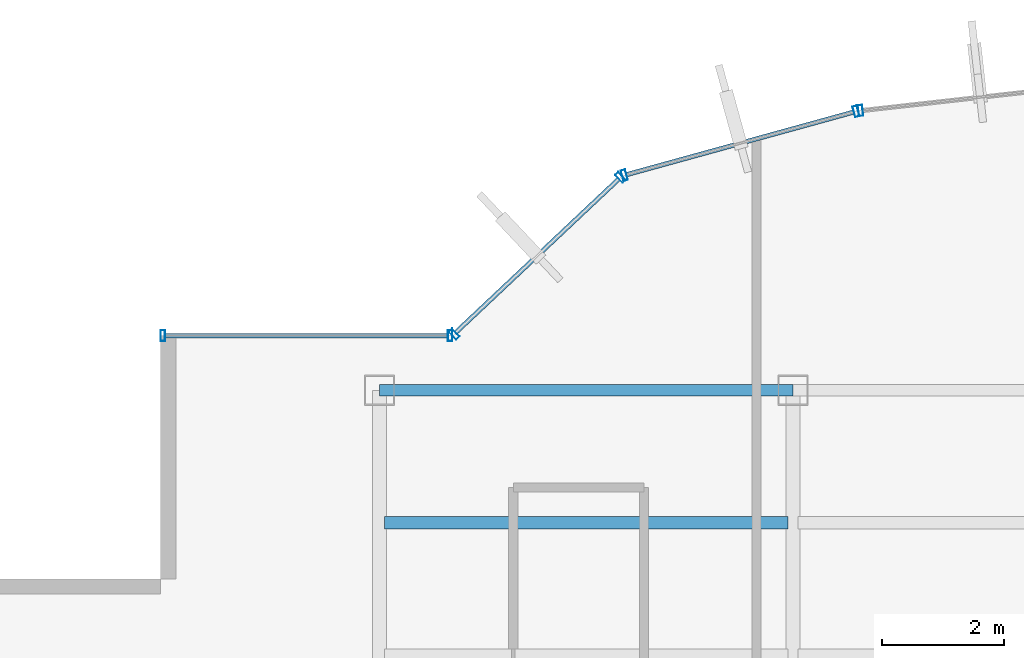
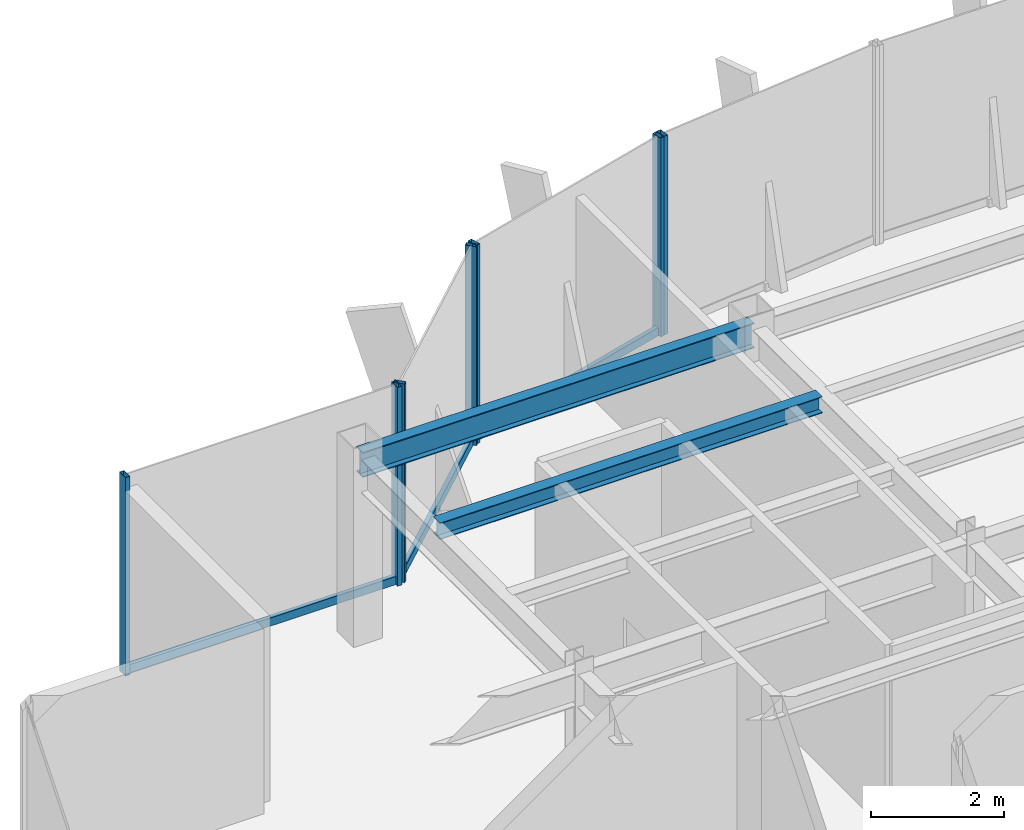
# One storey, part 12 of 22: 10 members, 2 beams, 4 elements without a shape of their own.
"""IFC4 building model written with IfcOpenShell, lengths in metres."""

from ifc_helpers import new_model, si_unit, derived_unit, direction, frame, origin, origin_2d, place, context, subcontext, project, spatial, hollow_rectangle, i_section, extrude, source, transform, mapped, material, material_profile, profile_set, type_object, element, aggregate, save


model = new_model("IFC4")

# Units and contexts
model_context = context("Model", 3, precision=1e-05, world=origin(), true_north=direction((0.0, 1.0)))
body_context = subcontext(model_context, "Body", "Model", "MODEL_VIEW")
ifc_project = project(units=[si_unit("LENGTHUNIT", "METRE"), si_unit("AREAUNIT", "SQUARE_METRE"), si_unit("VOLUMEUNIT", "CUBIC_METRE"), si_unit("PLANEANGLEUNIT", "RADIAN"), si_unit("MASSUNIT", "GRAM", prefix="KILO"), derived_unit("THERMALTRANSMITTANCEUNIT", [(si_unit("POWERUNIT", "WATT"), 1), (si_unit("LENGTHUNIT", "METRE"), -2), (si_unit("THERMODYNAMICTEMPERATUREUNIT", "KELVIN"), -1)])], contexts=[model_context])

# Site, building, storey
site_placement = place(None, origin())
site = spatial("IfcSite", under=ifc_project, at=site_placement, CompositionType="ELEMENT")
building_placement = place(site_placement, origin())
building = spatial("IfcBuilding", under=site, at=building_placement, Name="Skarnbrae Concourse Arena and Tower", CompositionType="ELEMENT")
storey_placement = place(building_placement, frame((0.0, 0.0, 244.199951171875)))
storey = spatial("IfcBuildingStorey", under=building, at=storey_placement, Name="L63", CompositionType="ELEMENT", Elevation=244.199951171875)

# Beams
ifc_material_1 = material(Name="Steel CSA G40.21 350W", Category="steel")
ifc_material_profile_1 = material_profile(ifc_material_1, i_section(OverallWidth=0.19091796875, OverallDepth=0.4599609375, WebThickness=0.010009765625, FlangeThickness=0.01611328125, at=origin_2d()), Name="W460X82")
ifc_profile_set_1 = profile_set([ifc_material_profile_1], Name="Steel CSA G40.21 350W")
beam_type_1 = type_object("IfcBeamType", Name="BM-SPAN-W460X82", PredefinedType="SPANDREL", material=ifc_profile_set_1)
shared_shape_1 = source(origin(), body_context, "Body", "SweptSolid", [
    extrude(i_section(OverallWidth=0.19091796875, OverallDepth=0.4599609375, WebThickness=0.010009765625, FlangeThickness=0.01611328125, at=origin_2d()), origin(), (0.0, 0.0, 1.0), 6.7998046875),
])
beam_1_placement = place(storey_placement, frame((7.60009765625, 34.39990234375, 3.170166015625), z_axis=(1.0, 0.0, 0.0), x_axis=(0.0, 1.0, 0.0)))
element("IfcBeam", 1, at=beam_1_placement, inside=storey, type_object=beam_type_1, Name="L63 Perimeter spandrel Y34.4-1", PredefinedType="SPANDREL", context=body_context, shape_type="MappedRepresentation", body=[
    mapped(shared_shape_1, transform((0.0, 0.0, 0.0))),
])
ifc_material_profile_2 = material_profile(ifc_material_1, i_section(OverallWidth=0.202880859375, OverallDepth=0.302978515625, WebThickness=0.007568359375, FlangeThickness=0.01318359375, at=origin_2d()), Name="W310X60")
ifc_profile_set_2 = profile_set([ifc_material_profile_2], Name="Steel CSA G40.21 350W")
beam_type_2 = type_object("IfcBeamType", Name="BM-JOIST-W310X60", PredefinedType="JOIST", material=ifc_profile_set_2)
shared_shape_2 = source(origin(), body_context, "Body", "SweptSolid", [
    extrude(i_section(OverallWidth=0.202880859375, OverallDepth=0.302978515625, WebThickness=0.007568359375, FlangeThickness=0.01318359375, at=origin_2d()), origin(), (0.0, 0.0, 1.0), 6.64013671875),
])
beam_2_placement = place(storey_placement, frame((7.679931640625, 32.221923828125, 3.24853515625), z_axis=(1.0, 0.0, 0.0), x_axis=(0.0, 1.0, 0.0)))
element("IfcBeam", 2, at=beam_2_placement, inside=storey, type_object=beam_type_2, Name="L63 Secondary floor joist 3.2.1", PredefinedType="JOIST", context=body_context, shape_type="MappedRepresentation", body=[
    mapped(shared_shape_2, transform((0.0, 0.0, 0.0))),
])

# Curtain wall, member
ifc_material_2 = material(Name="Bronze anodised aluminium 6063-T6", Category="aluminium")
curtain_wall_type = type_object("IfcCurtainWallType", Name="CW-SYS-05-HIGHZONE", PredefinedType="USERDEFINED", material=ifc_material_2)
curtain_wall_1_placement = place(storey_placement, origin())
curtain_wall_1 = element("IfcCurtainWall", 3, at=curtain_wall_1_placement, inside=storey, type_object=curtain_wall_type, Name="L63 Unitised curtain wall CW-L63-E15", ObjectType="UNITISED CURTAIN WALL", PredefinedType="USERDEFINED")
ifc_material_profile_3 = material_profile(ifc_material_2, hollow_rectangle(XDim=0.074951171875, YDim=0.14990234375, WallThickness=0.00390625, at=origin_2d()), Name="ALU-TRAN-75X150")
ifc_profile_set_3 = profile_set([ifc_material_profile_3], Name="Bronze anodised aluminium 6063-T6")
member_type_1 = type_object("IfcMemberType", Name="CWT-CW-05", PredefinedType="USERDEFINED", material=ifc_profile_set_3)
shared_shape_3 = source(origin(), body_context, "Body", "SweptSolid", [
    extrude(hollow_rectangle(XDim=0.074951171875, YDim=0.14990234375, WallThickness=0.00390625, at=origin_2d()), origin(), (0.0, 0.0, 1.0), 4.650146484375),
])
member_1_placement = place(storey_placement, frame((8.72509765625, 35.300048828125, 0.074951171875), z_axis=(-1.0, 0.0, 0.0), x_axis=(0.0, -1.0, 0.0)))
member_1 = element("IfcMember", 4, at=member_1_placement, type_object=member_type_1, Name="CW-L63-E15 Transom 1", ObjectType="TRANSOM", PredefinedType="USERDEFINED", context=body_context, shape_type="MappedRepresentation", body=[
    mapped(shared_shape_3, transform((0.0, 0.0, 0.0))),
])

curtain_wall_2_placement = place(storey_placement, origin())
curtain_wall_2 = element("IfcCurtainWall", 5, at=curtain_wall_2_placement, inside=storey, type_object=curtain_wall_type, Name="L63 Unitised curtain wall CW-L63-E14", ObjectType="UNITISED CURTAIN WALL", PredefinedType="USERDEFINED")
shared_shape_4 = source(origin(), body_context, "Body", "SweptSolid", [
    extrude(hollow_rectangle(XDim=0.074951171875, YDim=0.14990234375, WallThickness=0.00390625, at=origin_2d()), origin(), (0.0, 0.0, 1.0), 3.68212890625),
])
member_2_placement = place(storey_placement, frame((11.53564453125, 37.875244140625, 0.074951171875), z_axis=(-0.728133808476, -0.685435012933, 0.0), x_axis=(0.685435012933, -0.728133808476, 0.0)))
member_2 = element("IfcMember", 6, at=member_2_placement, type_object=member_type_1, Name="CW-L63-E14 Transom 1", ObjectType="TRANSOM", PredefinedType="USERDEFINED", context=body_context, shape_type="MappedRepresentation", body=[
    mapped(shared_shape_4, transform((0.0, 0.0, 0.0))),
])

curtain_wall_3_placement = place(storey_placement, origin())
curtain_wall_3 = element("IfcCurtainWall", 7, at=curtain_wall_3_placement, inside=storey, type_object=curtain_wall_type, Name="L63 Unitised curtain wall CW-L63-E13", ObjectType="UNITISED CURTAIN WALL", PredefinedType="USERDEFINED")
shared_shape_5 = source(origin(), body_context, "Body", "SweptSolid", [
    extrude(hollow_rectangle(XDim=0.074951171875, YDim=0.14990234375, WallThickness=0.00390625, at=origin_2d()), origin(), (0.0, 0.0, 1.0), 3.878662109375),
])
member_3_placement = place(storey_placement, frame((15.40185546875, 38.977294921875, 0.074951171875), z_axis=(-0.964042677713, -0.265747465742, 0.0), x_axis=(0.265747465742, -0.964042677713, 0.0)))
member_3 = element("IfcMember", 8, at=member_3_placement, type_object=member_type_1, Name="CW-L63-E13 Transom 1", ObjectType="TRANSOM", PredefinedType="USERDEFINED", context=body_context, shape_type="MappedRepresentation", body=[
    mapped(shared_shape_5, transform((0.0, 0.0, 0.0))),
])

curtain_wall_4_placement = place(storey_placement, origin())
curtain_wall_4 = element("IfcCurtainWall", 9, at=curtain_wall_4_placement, inside=storey, type_object=curtain_wall_type, Name="L63 Unitised curtain wall CW-L63-E12", ObjectType="UNITISED CURTAIN WALL", PredefinedType="USERDEFINED")
ifc_material_profile_4 = material_profile(ifc_material_2, hollow_rectangle(XDim=0.074951171875, YDim=0.179931640625, WallThickness=0.00390625, at=origin_2d()), Name="ALU-MULL-75X180")
ifc_profile_set_4 = profile_set([ifc_material_profile_4], Name="Bronze anodised aluminium 6063-T6")
member_type_2 = type_object("IfcMemberType", Name="CWM-CW-05", PredefinedType="MULLION", material=ifc_profile_set_4)
shared_shape_6 = source(origin(), body_context, "Body", "SweptSolid", [
    extrude(hollow_rectangle(XDim=0.074951171875, YDim=0.179931640625, WallThickness=0.00390625, at=origin_2d()), origin(), (0.0, 0.0, 1.0), 3.650146484375),
])
member_4_placement = place(storey_placement, frame((15.511474609375, 39.001220703125, 0.0), z_axis=(0.0, 0.0, 1.0), x_axis=(-0.993768891873, -0.111460259941, 0.0)))
member_4 = element("IfcMember", 10, at=member_4_placement, type_object=member_type_2, Name="CW-L63-E12 Mullion 2", PredefinedType="MULLION", context=body_context, shape_type="MappedRepresentation", body=[
    mapped(shared_shape_6, transform((0.0, 0.0, 0.0))),
])
aggregate(curtain_wall_4, [member_4])

# Member
member_5_placement = place(storey_placement, frame((15.43798828125, 38.987060546875, 0.0), z_axis=(0.0, 0.0, 1.0), x_axis=(-0.964057388766, -0.265694093207, 0.0)))
member_5 = element("IfcMember", 11, at=member_5_placement, type_object=member_type_2, Name="CW-L63-E13 Mullion 1", PredefinedType="MULLION", context=body_context, shape_type="MappedRepresentation", body=[
    mapped(shared_shape_6, transform((0.0, 0.0, 0.0))),
])

member_6_placement = place(storey_placement, frame((11.62646484375, 37.936767578125, 0.0), z_axis=(0.0, 0.0, 1.0), x_axis=(-0.964057388766, -0.265694093207, 0.0)))
member_6 = element("IfcMember", 12, at=member_6_placement, type_object=member_type_2, Name="CW-L63-E13 Mullion 2", PredefinedType="MULLION", context=body_context, shape_type="MappedRepresentation", body=[
    mapped(shared_shape_6, transform((0.0, 0.0, 0.0))),
])

aggregate(curtain_wall_3, [member_5, member_6, member_3])

member_7_placement = place(storey_placement, frame((11.56298828125, 37.90087890625, 0.0), z_axis=(0.0, 0.0, 1.0), x_axis=(-0.728130555214, -0.685438468838, 0.0)))
member_7 = element("IfcMember", 13, at=member_7_placement, type_object=member_type_2, Name="CW-L63-E14 Mullion 1", PredefinedType="MULLION", context=body_context, shape_type="MappedRepresentation", body=[
    mapped(shared_shape_6, transform((0.0, 0.0, 0.0))),
])

member_8_placement = place(storey_placement, frame((8.827392578125, 35.32568359375, 0.0), z_axis=(0.0, 0.0, 1.0), x_axis=(-0.728130555214, -0.685438468838, 0.0)))
member_8 = element("IfcMember", 14, at=member_8_placement, type_object=member_type_2, Name="CW-L63-E14 Mullion 2", PredefinedType="MULLION", context=body_context, shape_type="MappedRepresentation", body=[
    mapped(shared_shape_6, transform((0.0, 0.0, 0.0))),
])

aggregate(curtain_wall_2, [member_7, member_8, member_2])

member_9_placement = place(storey_placement, frame((8.762451171875, 35.300048828125, 0.0), z_axis=(0.0, 0.0, 1.0), x_axis=(-1.0, 0.0, 0.0)))
member_9 = element("IfcMember", 15, at=member_9_placement, type_object=member_type_2, Name="CW-L63-E15 Mullion 1", PredefinedType="MULLION", context=body_context, shape_type="MappedRepresentation", body=[
    mapped(shared_shape_6, transform((0.0, 0.0, 0.0))),
])

member_10_placement = place(storey_placement, frame((4.03759765625, 35.300048828125, 0.0), z_axis=(0.0, 0.0, 1.0), x_axis=(-1.0, 0.0, 0.0)))
member_10 = element("IfcMember", 16, at=member_10_placement, type_object=member_type_2, Name="CW-L63-E15 Mullion 2", PredefinedType="MULLION", context=body_context, shape_type="MappedRepresentation", body=[
    mapped(shared_shape_6, transform((0.0, 0.0, 0.0))),
])

aggregate(curtain_wall_1, [member_9, member_10, member_1])

save(model, "model.ifc")
